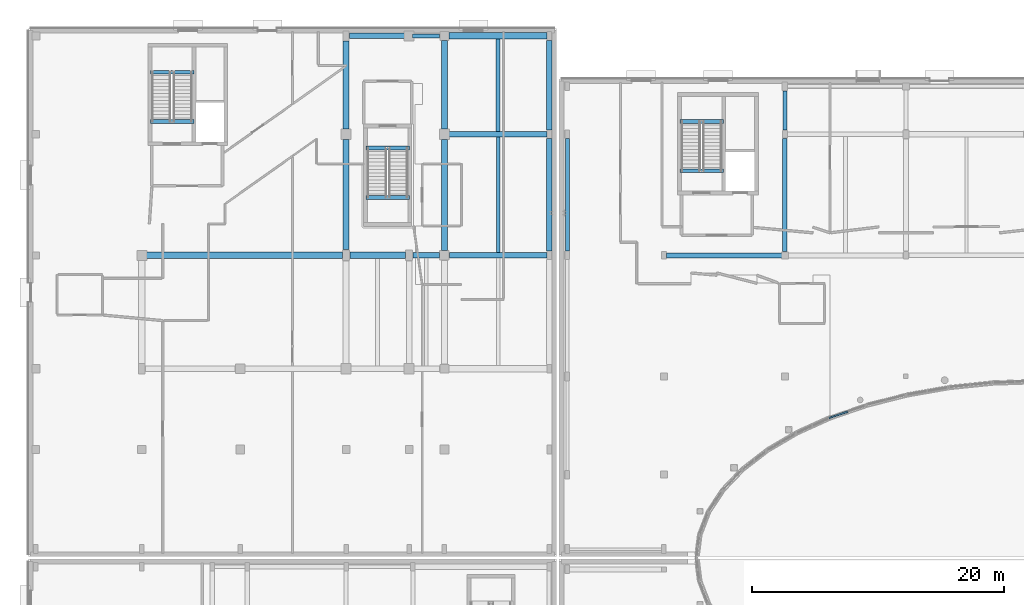
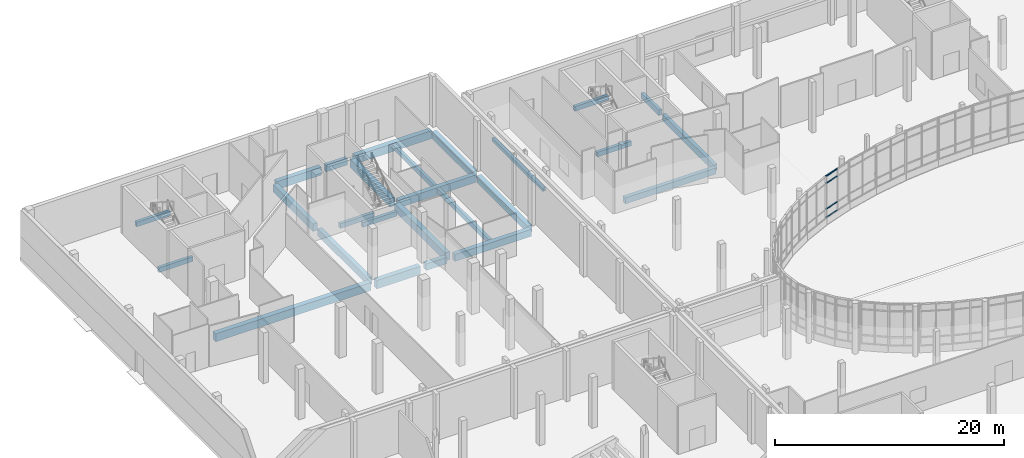
# One storey, part 21 of 84: 26 beams, 4 members, 1 element without a shape of its own.
"""IFC4 building model written with IfcOpenShell, lengths in metres."""

from ifc_helpers import new_model, si_unit, direction, frame, origin, origin_2d, place, context, subcontext, project, spatial, rectangle, extrude, material, material_profile, profile_set, type_object, element, aggregate, save


model = new_model("IFC4")

# Units and contexts
model_context = context("Model", 3, precision=1e-05, world=origin(), true_north=direction((0.0, 1.0)))
body_context = subcontext(model_context, "Body", "Model", "MODEL_VIEW")
ifc_project = project(units=[si_unit("LENGTHUNIT", "METRE"), si_unit("AREAUNIT", "SQUARE_METRE"), si_unit("VOLUMEUNIT", "CUBIC_METRE"), si_unit("PLANEANGLEUNIT", "RADIAN"), si_unit("MASSUNIT", "GRAM", prefix="KILO")], contexts=[model_context])

# Site, building, storey
site_placement = place(None, origin())
site = spatial("IfcSite", under=ifc_project, at=site_placement, CompositionType="ELEMENT")
building_placement = place(site_placement, origin())
building = spatial("IfcBuilding", under=site, at=building_placement, Name="Mzevani Central Library", CompositionType="ELEMENT")
storey_placement = place(building_placement, origin())
storey = spatial("IfcBuildingStorey", under=building, at=storey_placement, Name="L00", CompositionType="ELEMENT", Elevation=0.0)

# Beams
ifc_material_1 = material(Name="Concrete C35/45", Category="concrete")
ifc_material_profile_1 = material_profile(ifc_material_1, rectangle(XDim=0.300048828125, YDim=0.5, at=origin_2d()), Name="RC B300x500")
ifc_profile_set_1 = profile_set([ifc_material_profile_1], Name="Concrete C35/45")
beam_type_1 = type_object("IfcBeamType", Name="Beam RC 300x500", PredefinedType="BEAM", material=ifc_profile_set_1)
for number, where, z_axis, x_axis, name in (
    (1, (13.679931640625, 114.52001953125, 2.25), (1.0, 0.0, 0.0), (0.0, 1.0, 0.0), "L00 Core C2A North-West Firefighting Core Stair Landing Beam 1"),
    (2, (13.679931640625, 110.60009765625, -0.25), (1.0, 0.0, 0.0), (0.0, 1.0, 0.0), "L00 Core C2A North-West Firefighting Core Stair Opening Trimmer Beam"),
):
    element("IfcBeam", number, at=place(storey_placement, frame(where, z_axis=z_axis, x_axis=x_axis)), inside=storey, type_object=beam_type_1, Name=name, PredefinedType="BEAM", context=body_context, shape_type="SweptSolid", body=[
        extrude(rectangle(XDim=0.300048828125, YDim=0.5, at=origin_2d()), origin(), (0.0, 0.0, 1.0), 3.440185546875),
    ])
for number, where, z_axis, x_axis, name in (
    (3, (30.780029296875, 104.580078125, 2.25), (1.0, 0.0, 0.0), (0.0, 1.0, 0.0), "L00 Core C2B Stacks East Escape Stair Stair Landing Beam 1"),
    (4, (30.780029296875, 108.5, -0.25), (1.0, 0.0, 0.0), (0.0, 1.0, 0.0), "L00 Core C2B Stacks East Escape Stair Stair Opening Trimmer Beam"),
):
    element("IfcBeam", number, at=place(storey_placement, frame(where, z_axis=z_axis, x_axis=x_axis)), inside=storey, type_object=beam_type_1, Name=name, PredefinedType="BEAM", context=body_context, shape_type="SweptSolid", body=[
        extrude(rectangle(XDim=0.300048828125, YDim=0.5, at=origin_2d()), origin(), (0.0, 0.0, 1.0), 3.43994140625),
    ])
for number, where, z_axis, x_axis, name in (
    (5, (55.679931640625, 110.6201171875, 2.25), (1.0, 0.0, 0.0), (0.0, 1.0, 0.0), "L00 Core C3A North-East Firefighting Core Stair Landing Beam 1"),
    (6, (55.679931640625, 106.699951171875, -0.25), (1.0, 0.0, 0.0), (0.0, 1.0, 0.0), "L00 Core C3A North-East Firefighting Core Stair Opening Trimmer Beam"),
):
    element("IfcBeam", number, at=place(storey_placement, frame(where, z_axis=z_axis, x_axis=x_axis)), inside=storey, type_object=beam_type_1, Name=name, PredefinedType="BEAM", context=body_context, shape_type="SweptSolid", body=[
        extrude(rectangle(XDim=0.300048828125, YDim=0.5, at=origin_2d()), origin(), (0.0, 0.0, 1.0), 3.440185546875),
    ])
ifc_material_profile_2 = material_profile(ifc_material_1, rectangle(XDim=0.300048828125, YDim=0.60009765625, at=origin_2d()), Name="RC B300x600")
ifc_profile_set_2 = profile_set([ifc_material_profile_2], Name="Concrete C35/45")
beam_type_2 = type_object("IfcBeamType", Name="Beam RC 300x600", PredefinedType="BEAM", material=ifc_profile_set_2)
beam_1_placement = place(storey_placement, frame((64.0, 109.925048828125, -0.699951171875), z_axis=(0.0, 1.0, 0.0), x_axis=(-1.0, 0.0, 0.0)))
element("IfcBeam", 7, at=beam_1_placement, inside=storey, type_object=beam_type_2, Name="L00 V3 Frame Beam B-03 (438)", PredefinedType="BEAM", context=body_context, shape_type="SweptSolid", body=[
    extrude(rectangle(XDim=0.300048828125, YDim=0.60009765625, at=origin_2d()), origin(), (0.0, 0.0, 1.0), 3.099853515625),
])
ifc_material_profile_3 = material_profile(ifc_material_1, rectangle(XDim=0.35009765625, YDim=0.699951171875, at=origin_2d()), Name="RC B350x700")
ifc_profile_set_3 = profile_set([ifc_material_profile_3], Name="Concrete C35/45")
beam_type_3 = type_object("IfcBeamType", Name="Beam RC 350x700", PredefinedType="BEAM", material=ifc_profile_set_3)
beam_2_placement = place(storey_placement, frame((64.0, 100.300048828125, -0.75), z_axis=(0.0, 1.0, 0.0), x_axis=(-1.0, 0.0, 0.0)))
element("IfcBeam", 8, at=beam_2_placement, inside=storey, type_object=beam_type_3, Name="L00 V3 Frame Beam B-06 (437)", PredefinedType="BEAM", context=body_context, shape_type="SweptSolid", body=[
    extrude(rectangle(XDim=0.35009765625, YDim=0.699951171875, at=origin_2d()), origin(), (0.0, 0.0, 1.0), 8.974853515625),
])
ifc_material_profile_4 = material_profile(ifc_material_1, rectangle(XDim=0.39990234375, YDim=0.64990234375, at=origin_2d()), Name="RC B400x650")
ifc_profile_set_4 = profile_set([ifc_material_profile_4], Name="Concrete C35/45")
beam_type_4 = type_object("IfcBeamType", Name="Beam RC 400x650", PredefinedType="BEAM", material=ifc_profile_set_4)
beam_3_placement = place(storey_placement, frame((54.625, 100.0, -0.72509765625), z_axis=(1.0, 0.0, 0.0), x_axis=(0.0, 1.0, 0.0)))
element("IfcBeam", 9, at=beam_3_placement, inside=storey, type_object=beam_type_4, Name="L00 V3 Girder B-07 (430)", PredefinedType="BEAM", context=body_context, shape_type="SweptSolid", body=[
    extrude(rectangle(XDim=0.39990234375, YDim=0.64990234375, at=origin_2d()), origin(), (0.0, 0.0, 1.0), 9.175048828125),
])

# Curtain wall, members
ifc_material_2 = material(Name="Thermally broken aluminium and Low-E triple glazing", Category="aluminium")
curtain_wall_type = type_object("IfcCurtainWallType", Name="Elliptical Court Unitised Curtain Wall", PredefinedType="NOTDEFINED", material=ifc_material_2)
curtain_wall_placement = place(storey_placement, origin())
curtain_wall = element("IfcCurtainWall", 10, at=curtain_wall_placement, inside=storey, type_object=curtain_wall_type, Name="L00 Elliptical Court Curtain Wall 17", PredefinedType="NOTDEFINED")
ifc_material_3 = material(Name="Thermally broken aluminium AW-6060", Category="aluminium")
ifc_material_profile_5 = material_profile(ifc_material_3, rectangle(XDim=0.1298828125, YDim=0.06005859375, at=origin_2d()), Name="ALU T60x130")
ifc_profile_set_5 = profile_set([ifc_material_profile_5], Name="Thermally broken aluminium AW-6060")
member_type = type_object("IfcMemberType", Name="CW Transom 60x130", PredefinedType="USERDEFINED", material=ifc_profile_set_5)
member_1_placement = place(storey_placement, frame((68.968505859375, 87.59423828125, 0.719970703125), z_axis=(-0.945500820927, -0.325619713204, 0.0), x_axis=(0.325619713204, -0.945500820927, 0.0)))
member_1 = element("IfcMember", 11, at=member_1_placement, type_object=member_type, Name="L00 Elliptical Court Curtain Wall 17 Transom 5", ObjectType="TRANSOM", PredefinedType="USERDEFINED", context=body_context, shape_type="SweptSolid", body=[
    extrude(rectangle(XDim=0.1298828125, YDim=0.06005859375, at=origin_2d()), origin(), (0.0, 0.0, 1.0), 1.54150390625),
])
member_2_placement = place(storey_placement, frame((68.968505859375, 87.59423828125, 1.6201171875), z_axis=(-0.945500820927, -0.325619713204, 0.0), x_axis=(0.325619713204, -0.945500820927, 0.0)))
member_2 = element("IfcMember", 12, at=member_2_placement, type_object=member_type, Name="L00 Elliptical Court Curtain Wall 17 Transom 6", ObjectType="TRANSOM", PredefinedType="USERDEFINED", context=body_context, shape_type="SweptSolid", body=[
    extrude(rectangle(XDim=0.1298828125, YDim=0.06005859375, at=origin_2d()), origin(), (0.0, 0.0, 1.0), 1.54150390625),
])
member_3_placement = place(storey_placement, frame((68.968505859375, 87.59423828125, 4.3701171875), z_axis=(-0.945500820927, -0.325619713204, 0.0), x_axis=(0.325619713204, -0.945500820927, 0.0)))
member_3 = element("IfcMember", 13, at=member_3_placement, type_object=member_type, Name="L00 Elliptical Court Curtain Wall 17 Transom 7", ObjectType="TRANSOM", PredefinedType="USERDEFINED", context=body_context, shape_type="SweptSolid", body=[
    extrude(rectangle(XDim=0.1298828125, YDim=0.06005859375, at=origin_2d()), origin(), (0.0, 0.0, 1.0), 1.54150390625),
])
member_4_placement = place(storey_placement, frame((68.968505859375, 87.59423828125, 5.1201171875), z_axis=(-0.945500820927, -0.325619713204, 0.0), x_axis=(0.325619713204, -0.945500820927, 0.0)))
member_4 = element("IfcMember", 14, at=member_4_placement, type_object=member_type, Name="L00 Elliptical Court Curtain Wall 17 Transom 8", ObjectType="TRANSOM", PredefinedType="USERDEFINED", context=body_context, shape_type="SweptSolid", body=[
    extrude(rectangle(XDim=0.1298828125, YDim=0.06005859375, at=origin_2d()), origin(), (0.0, 0.0, 1.0), 1.54150390625),
])
aggregate(curtain_wall, [member_1, member_2, member_3, member_4])

# Beams
ifc_material_4 = material(Name="Precast concrete C40/50", Category="concrete")
ifc_material_profile_6 = material_profile(ifc_material_4, rectangle(XDim=0.300048828125, YDim=0.75, at=origin_2d()), Name="RC SP300x750")
ifc_profile_set_6 = profile_set([ifc_material_profile_6], Name="Precast concrete C40/50")
beam_type_5 = type_object("IfcBeamType", Name="Edge Spandrel Beam RC 300x750", PredefinedType="SPANDREL", material=ifc_profile_set_6)
beam_4_placement = place(storey_placement, frame((34.449951171875, 117.39990234375, -0.77490234375), z_axis=(1.0, 0.0, 0.0), x_axis=(0.0, 1.0, 0.0)))
element("IfcBeam", 15, at=beam_4_placement, inside=storey, type_object=beam_type_5, Name="L00 V2 Girder SP-01 (186)", PredefinedType="SPANDREL", context=body_context, shape_type="SweptSolid", body=[
    extrude(rectangle(XDim=0.300048828125, YDim=0.75, at=origin_2d()), origin(), (0.0, 0.0, 1.0), 2.175048828125),
])
ifc_material_profile_7 = material_profile(ifc_material_4, rectangle(XDim=0.300048828125, YDim=0.35009765625, at=origin_2d()), Name="PC LN300x350")
ifc_profile_set_7 = profile_set([ifc_material_profile_7], Name="Precast concrete C40/50")
beam_type_6 = type_object("IfcBeamType", Name="Precast Window Lintel 300x350", PredefinedType="LINTEL", material=ifc_profile_set_7)
beam_5_placement = place(storey_placement, frame((46.75, 100.35009765625, 2.925048828125), z_axis=(0.0, 1.0, 0.0), x_axis=(-1.0, 0.0, 0.0)))
element("IfcBeam", 16, at=beam_5_placement, inside=storey, type_object=beam_type_6, Name="L00 V3 Precast Portal Lintel (34)", PredefinedType="LINTEL", context=body_context, shape_type="SweptSolid", body=[
    extrude(rectangle(XDim=0.300048828125, YDim=0.35009765625, at=origin_2d()), origin(), (0.0, 0.0, 1.0), 8.89990234375),
])
ifc_material_5 = material(Name="Concrete C40/50", Category="concrete")
ifc_material_profile_8 = material_profile(ifc_material_5, rectangle(XDim=0.449951171875, YDim=0.699951171875, at=origin_2d()), Name="RC B450x700")
ifc_profile_set_8 = profile_set([ifc_material_profile_8], Name="Concrete C40/50")
beam_type_7 = type_object("IfcBeamType", Name="Stack Girder RC 450x700", PredefinedType="BEAM", material=ifc_profile_set_8)
beam_6_placement = place(storey_placement, frame((34.5, 100.0, -0.75), z_axis=(1.0, 0.0, 0.0), x_axis=(0.0, 1.0, 0.0)))
element("IfcBeam", 17, at=beam_6_placement, inside=storey, type_object=beam_type_7, Name="L00 V2 Girder BG-01 (182)", PredefinedType="BEAM", context=body_context, shape_type="SweptSolid", body=[
    extrude(rectangle(XDim=0.449951171875, YDim=0.699951171875, at=origin_2d()), origin(), (0.0, 0.0, 1.0), 2.10009765625),
])
ifc_material_profile_9 = material_profile(ifc_material_5, rectangle(XDim=0.449951171875, YDim=0.75, at=origin_2d()), Name="RC B450x750")
ifc_profile_set_9 = profile_set([ifc_material_profile_9], Name="Concrete C40/50")
beam_type_8 = type_object("IfcBeamType", Name="Stack Girder RC 450x750", PredefinedType="BEAM", material=ifc_profile_set_9)
beam_7_placement = place(storey_placement, frame((37.39990234375, 100.0, -0.77490234375), z_axis=(1.0, 0.0, 0.0), x_axis=(0.0, 1.0, 0.0)))
element("IfcBeam", 18, at=beam_7_placement, inside=storey, type_object=beam_type_8, Name="L00 V2 Girder BG-02 (183)", PredefinedType="BEAM", context=body_context, shape_type="SweptSolid", body=[
    extrude(rectangle(XDim=0.449951171875, YDim=0.75, at=origin_2d()), origin(), (0.0, 0.0, 1.0), 7.72509765625),
])
beam_8_placement = place(storey_placement, frame((29.199951171875, 100.449951171875, -0.77490234375), z_axis=(0.0, 1.0, 0.0), x_axis=(-1.0, 0.0, 0.0)))
element("IfcBeam", 19, at=beam_8_placement, inside=storey, type_object=beam_type_8, Name="L00 V2 Frame Beam BG-02 (190)", PredefinedType="BEAM", context=body_context, shape_type="SweptSolid", body=[
    extrude(rectangle(XDim=0.449951171875, YDim=0.75, at=origin_2d()), origin(), (0.0, 0.0, 1.0), 8.75),
])
beam_9_placement = place(storey_placement, frame((45.300048828125, 100.35009765625, -0.77490234375), z_axis=(0.0, 1.0, 0.0), x_axis=(-1.0, 0.0, 0.0)))
element("IfcBeam", 20, at=beam_9_placement, inside=storey, type_object=beam_type_8, Name="L00 V2 Frame Beam BG-02 (197)", PredefinedType="BEAM", context=body_context, shape_type="SweptSolid", body=[
    extrude(rectangle(XDim=0.449951171875, YDim=0.75, at=origin_2d()), origin(), (0.0, 0.0, 1.0), 8.89990234375),
])
ifc_material_profile_10 = material_profile(ifc_material_5, rectangle(XDim=0.449951171875, YDim=0.800048828125, at=origin_2d()), Name="RC B450x800")
ifc_profile_set_10 = profile_set([ifc_material_profile_10], Name="Concrete C40/50")
beam_type_9 = type_object("IfcBeamType", Name="Stack Girder RC 450x800", PredefinedType="BEAM", material=ifc_profile_set_10)
beam_10_placement = place(storey_placement, frame((37.25, 109.60009765625, -0.800048828125), z_axis=(1.0, 0.0, 0.0), x_axis=(0.0, 1.0, 0.0)))
element("IfcBeam", 21, at=beam_10_placement, inside=storey, type_object=beam_type_9, Name="L00 V2 Girder BG-03 (184)", PredefinedType="BEAM", context=body_context, shape_type="SweptSolid", body=[
    extrude(rectangle(XDim=0.449951171875, YDim=0.800048828125, at=origin_2d()), origin(), (0.0, 0.0, 1.0), 7.875),
])
beam_11_placement = place(storey_placement, frame((29.199951171875, 110.0, -0.800048828125), z_axis=(0.0, 1.0, 0.0), x_axis=(-1.0, 0.0, 0.0)))
element("IfcBeam", 22, at=beam_11_placement, inside=storey, type_object=beam_type_9, Name="L00 V2 Frame Beam BG-03 (191)", PredefinedType="BEAM", context=body_context, shape_type="SweptSolid", body=[
    extrude(rectangle(XDim=0.449951171875, YDim=0.800048828125, at=origin_2d()), origin(), (0.0, 0.0, 1.0), 6.97509765625),
])
beam_12_placement = place(storey_placement, frame((45.300048828125, 109.949951171875, -0.800048828125), z_axis=(0.0, 1.0, 0.0), x_axis=(-1.0, 0.0, 0.0)))
element("IfcBeam", 23, at=beam_12_placement, inside=storey, type_object=beam_type_9, Name="L00 V2 Frame Beam BG-03 (198)", PredefinedType="BEAM", context=body_context, shape_type="SweptSolid", body=[
    extrude(rectangle(XDim=0.449951171875, YDim=0.800048828125, at=origin_2d()), origin(), (0.0, 0.0, 1.0), 7.10009765625),
])
ifc_material_profile_11 = material_profile(ifc_material_5, rectangle(XDim=0.449951171875, YDim=0.85009765625, at=origin_2d()), Name="RC B450x850")
ifc_profile_set_11 = profile_set([ifc_material_profile_11], Name="Concrete C40/50")
beam_type_10 = type_object("IfcBeamType", Name="Stack Girder RC 450x850", PredefinedType="BEAM", material=ifc_profile_set_11)
beam_13_placement = place(storey_placement, frame((29.47509765625, 117.39990234375, -0.824951171875), z_axis=(1.0, 0.0, 0.0), x_axis=(0.0, 1.0, 0.0)))
element("IfcBeam", 24, at=beam_13_placement, inside=storey, type_object=beam_type_10, Name="L00 V2 Girder BG-04 (185)", PredefinedType="BEAM", context=body_context, shape_type="SweptSolid", body=[
    extrude(rectangle(XDim=0.449951171875, YDim=0.85009765625, at=origin_2d()), origin(), (0.0, 0.0, 1.0), 4.474853515625),
])
ifc_material_profile_12 = material_profile(ifc_material_5, rectangle(XDim=0.5, YDim=0.85009765625, at=origin_2d()), Name="RC B500x850")
ifc_profile_set_12 = profile_set([ifc_material_profile_12], Name="Concrete C40/50")
beam_type_11 = type_object("IfcBeamType", Name="Stack Girder RC 500x850", PredefinedType="BEAM", material=ifc_profile_set_12)
beam_14_placement = place(storey_placement, frame((13.25, 100.0, -0.824951171875), z_axis=(1.0, 0.0, 0.0), x_axis=(0.0, 1.0, 0.0)))
element("IfcBeam", 25, at=beam_14_placement, inside=storey, type_object=beam_type_11, Name="L00 V2 Girder BG-06 (180)", PredefinedType="BEAM", context=body_context, shape_type="SweptSolid", body=[
    extrude(rectangle(XDim=0.5, YDim=0.85009765625, at=origin_2d()), origin(), (0.0, 0.0, 1.0), 15.64990234375),
])
beam_15_placement = place(storey_placement, frame((37.375, 117.39990234375, -0.824951171875), z_axis=(1.0, 0.0, 0.0), x_axis=(0.0, 1.0, 0.0)))
element("IfcBeam", 26, at=beam_15_placement, inside=storey, type_object=beam_type_11, Name="L00 V2 Girder BG-06 (187)", PredefinedType="BEAM", context=body_context, shape_type="SweptSolid", body=[
    extrude(rectangle(XDim=0.5, YDim=0.85009765625, at=origin_2d()), origin(), (0.0, 0.0, 1.0), 7.75),
])
beam_16_placement = place(storey_placement, frame((37.0, 100.39990234375, -0.824951171875), z_axis=(0.0, 1.0, 0.0), x_axis=(-1.0, 0.0, 0.0)))
element("IfcBeam", 27, at=beam_16_placement, inside=storey, type_object=beam_type_11, Name="L00 V2 Frame Beam BG-06 (194)", PredefinedType="BEAM", context=body_context, shape_type="SweptSolid", body=[
    extrude(rectangle(XDim=0.5, YDim=0.85009765625, at=origin_2d()), origin(), (0.0, 0.0, 1.0), 8.800048828125),
])
ifc_material_profile_13 = material_profile(ifc_material_5, rectangle(XDim=0.5, YDim=0.89990234375, at=origin_2d()), Name="RC B500x900")
ifc_profile_set_13 = profile_set([ifc_material_profile_13], Name="Concrete C40/50")
beam_type_12 = type_object("IfcBeamType", Name="Stack Girder RC 500x900", PredefinedType="BEAM", material=ifc_profile_set_13)
beam_17_placement = place(storey_placement, frame((29.5, 100.0, -0.85009765625), z_axis=(1.0, 0.0, 0.0), x_axis=(0.0, 1.0, 0.0)))
element("IfcBeam", 28, at=beam_17_placement, inside=storey, type_object=beam_type_12, Name="L00 V2 Girder BG-07 (181)", PredefinedType="BEAM", context=body_context, shape_type="SweptSolid", body=[
    extrude(rectangle(XDim=0.5, YDim=0.89990234375, at=origin_2d()), origin(), (0.0, 0.0, 1.0), 4.39990234375),
])
beam_18_placement = place(storey_placement, frame((37.0, 110.0, -0.85009765625), z_axis=(0.0, 1.0, 0.0), x_axis=(-1.0, 0.0, 0.0)))
element("IfcBeam", 29, at=beam_18_placement, inside=storey, type_object=beam_type_12, Name="L00 V2 Frame Beam BG-07 (195)", PredefinedType="BEAM", context=body_context, shape_type="SweptSolid", body=[
    extrude(rectangle(XDim=0.5, YDim=0.89990234375, at=origin_2d()), origin(), (0.0, 0.0, 1.0), 7.02490234375),
])
ifc_material_profile_14 = material_profile(ifc_material_5, rectangle(XDim=0.300048828125, YDim=0.52001953125, at=origin_2d()), Name="RC J300x520")
ifc_profile_set_14 = profile_set([ifc_material_profile_14], Name="Concrete C40/50")
beam_type_13 = type_object("IfcBeamType", Name="Stack Joist RC 300x520", PredefinedType="JOIST", material=ifc_profile_set_14)
beam_19_placement = place(storey_placement, frame((41.262451171875, 100.22509765625, -0.659912109375), z_axis=(0.0, 1.0, 0.0), x_axis=(-1.0, 0.0, 0.0)))
element("IfcBeam", 30, at=beam_19_placement, inside=storey, type_object=beam_type_13, Name="L00 V2 Floor Joist BJ-04 (202)", PredefinedType="JOIST", context=body_context, shape_type="SweptSolid", body=[
    extrude(rectangle(XDim=0.300048828125, YDim=0.52001953125, at=origin_2d()), origin(), (0.0, 0.0, 1.0), 9.14990234375),
])
beam_20_placement = place(storey_placement, frame((41.25, 109.824951171875, -0.659912109375), z_axis=(0.0, 1.0, 0.0), x_axis=(-1.0, 0.0, 0.0)))
element("IfcBeam", 31, at=beam_20_placement, inside=storey, type_object=beam_type_13, Name="L00 V2 Floor Joist BJ-04 (203)", PredefinedType="JOIST", context=body_context, shape_type="SweptSolid", body=[
    extrude(rectangle(XDim=0.300048828125, YDim=0.52001953125, at=origin_2d()), origin(), (0.0, 0.0, 1.0), 7.324951171875),
])

save(model, "model.ifc")
